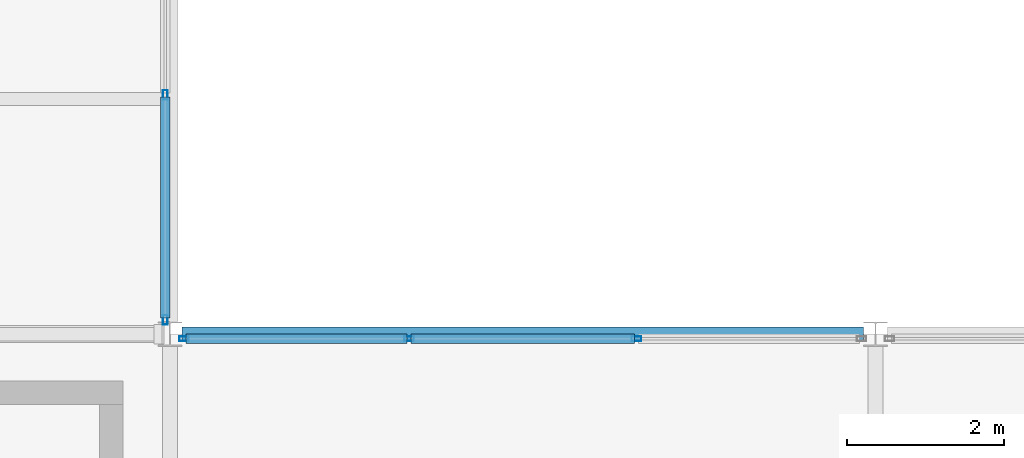
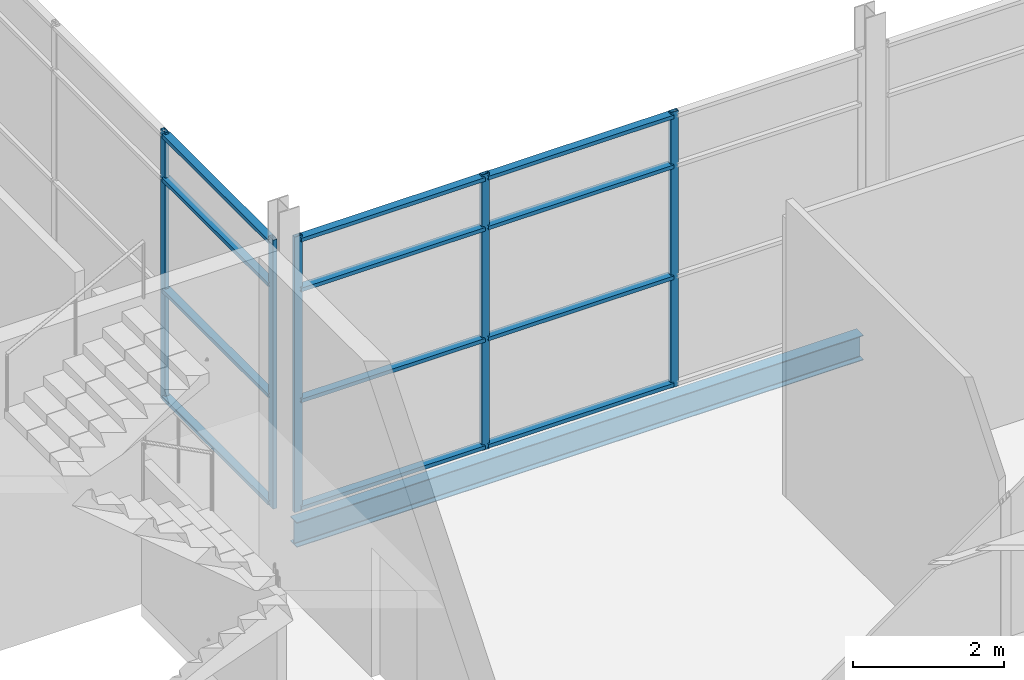
# One storey, part 10 of 61: 17 members, 1 beam, 2 elements without a shape of their own.
"""IFC4 building model written with IfcOpenShell, lengths in metres."""

from ifc_helpers import new_model, si_unit, direction, frame, origin, origin_2d, place, context, subcontext, project, spatial, hollow_rectangle, i_section, extrude, material, layer, layer_set, material_profile, profile_set, type_object, element, aggregate, save


model = new_model("IFC4")

# Units and contexts
model_context = context("Model", 3, precision=1e-05, world=origin(), true_north=direction((0.0, 1.0)))
body_context = subcontext(model_context, "Body", "Model", "MODEL_VIEW")
ifc_project = project(units=[si_unit("LENGTHUNIT", "METRE"), si_unit("AREAUNIT", "SQUARE_METRE"), si_unit("VOLUMEUNIT", "CUBIC_METRE"), si_unit("PLANEANGLEUNIT", "RADIAN"), si_unit("MASSUNIT", "GRAM", prefix="KILO")], contexts=[model_context])

# Site, building, storey
site_placement = place(None, origin())
site = spatial("IfcSite", under=ifc_project, at=site_placement, CompositionType="ELEMENT")
building_placement = place(site_placement, origin())
building = spatial("IfcBuilding", under=site, at=building_placement, Name="Shorebreak Coast Museum", CompositionType="ELEMENT")
storey_placement = place(building_placement, frame((0.0, 0.0, 26.0)))
storey = spatial("IfcBuildingStorey", under=building, at=storey_placement, Name="L04", CompositionType="ELEMENT", Elevation=26.0)

# Beam
ifc_material_1 = material(Name="Steel Grade 300", Category="steel")
ifc_material_profile_1 = material_profile(ifc_material_1, i_section(OverallWidth=0.177978515625, OverallDepth=0.402587890625, WebThickness=0.007568359375, FlangeThickness=0.010986328125, FilletRadius=0.011474609375, at=origin_2d()), Name="410UB53.7")
ifc_profile_set_1 = profile_set([ifc_material_profile_1], Name="Steel Grade 300")
beam_type = type_object("IfcBeamType", Name="Floor girder east-west 410UB53.7", PredefinedType="BEAM", material=ifc_profile_set_1)
beam_placement = place(storey_placement, frame((63.154541015625, 63.0, -0.376220703125), z_axis=(1.0, 0.0, 0.0), x_axis=(0.0, 1.0, 0.0)))
element("IfcBeam", 1, at=beam_placement, inside=storey, type_object=beam_type, Name="Floor girder east-west L04 8H", PredefinedType="BEAM", context=body_context, shape_type="SweptSolid", body=[
    extrude(i_section(OverallWidth=0.177978515625, OverallDepth=0.402587890625, WebThickness=0.007568359375, FlangeThickness=0.010986328125, FilletRadius=0.011474609375, at=origin_2d()), origin(), (0.0, 0.0, 1.0), 8.69091796875),
])

# Curtain wall, members
ifc_material_2 = material(Name="Aluminium", Category="aluminium")
ifc_layer = layer(ifc_material_2, 0.1201171875)
ifc_layer_set = layer_set([ifc_layer], Name="Aluminium")
curtain_wall_type = type_object("IfcCurtainWallType", Name="Atrium fire screen", PredefinedType="NOTDEFINED", material=ifc_layer_set)
curtain_wall_1_placement = place(storey_placement, origin())
curtain_wall_1 = element("IfcCurtainWall", 2, at=curtain_wall_1_placement, inside=storey, type_object=curtain_wall_type, Name="Atrium screen L04 S 49", PredefinedType="NOTDEFINED")
ifc_material_3 = material(Name="Aluminium", Category="aluminium")
ifc_material_profile_2 = material_profile(ifc_material_3, hollow_rectangle(XDim=0.06005859375, YDim=0.1201171875, WallThickness=0.00341796875, at=origin_2d()), Name="AL 120x60 RHS")
ifc_profile_set_2 = profile_set([ifc_material_profile_2], Name="Aluminium")
member_type_1 = type_object("IfcMemberType", Name="Screen mullion 50 x 120", PredefinedType="MULLION", material=ifc_profile_set_2)
member_1_placement = place(storey_placement, frame((63.178466796875, 62.93994140625, 0.0), z_axis=(0.0, 0.0, 1.0), x_axis=(0.0, 1.0, 0.0)))
member_1 = element("IfcMember", 3, at=member_1_placement, type_object=member_type_1, Name="CW5 mullion 1", PredefinedType="MULLION", context=body_context, shape_type="SweptSolid", body=[
    extrude(hollow_rectangle(XDim=0.06005859375, YDim=0.1201171875, WallThickness=0.00341796875, at=origin_2d()), origin(), (0.0, 0.0, 1.0), 4.469482421875),
])
member_2_placement = place(storey_placement, frame((66.05126953125, 62.93994140625, 0.0), z_axis=(0.0, 0.0, 1.0), x_axis=(0.0, 1.0, 0.0)))
member_2 = element("IfcMember", 4, at=member_2_placement, type_object=member_type_1, Name="CW5 mullion 2", PredefinedType="MULLION", context=body_context, shape_type="SweptSolid", body=[
    extrude(hollow_rectangle(XDim=0.06005859375, YDim=0.1201171875, WallThickness=0.00341796875, at=origin_2d()), origin(), (0.0, 0.0, 1.0), 4.469482421875),
])
member_3_placement = place(storey_placement, frame((68.94873046875, 62.93994140625, 0.0), z_axis=(0.0, 0.0, 1.0), x_axis=(0.0, 1.0, 0.0)))
member_3 = element("IfcMember", 5, at=member_3_placement, type_object=member_type_1, Name="CW5 mullion 3", PredefinedType="MULLION", context=body_context, shape_type="SweptSolid", body=[
    extrude(hollow_rectangle(XDim=0.06005859375, YDim=0.1201171875, WallThickness=0.00341796875, at=origin_2d()), origin(), (0.0, 0.0, 1.0), 4.469482421875),
])

curtain_wall_2_placement = place(storey_placement, origin())
curtain_wall_2 = element("IfcCurtainWall", 6, at=curtain_wall_2_placement, inside=storey, type_object=curtain_wall_type, Name="Atrium screen L04 W 59", PredefinedType="NOTDEFINED")
member_4_placement = place(storey_placement, frame((62.93994140625, 63.182373046875, 0.0), z_axis=(0.0, 0.0, 1.0), x_axis=(-1.0, 0.0, 0.0)))
member_4 = element("IfcMember", 7, at=member_4_placement, type_object=member_type_1, Name="CW6 mullion 1", PredefinedType="MULLION", context=body_context, shape_type="SweptSolid", body=[
    extrude(hollow_rectangle(XDim=0.06005859375, YDim=0.1201171875, WallThickness=0.00341796875, at=origin_2d()), origin(), (0.0, 0.0, 1.0), 4.364501953125),
])
member_5_placement = place(storey_placement, frame((62.93994140625, 66.052490234375, 0.0), z_axis=(0.0, 0.0, 1.0), x_axis=(-1.0, 0.0, 0.0)))
member_5 = element("IfcMember", 8, at=member_5_placement, type_object=member_type_1, Name="CW6 mullion 2", PredefinedType="MULLION", context=body_context, shape_type="SweptSolid", body=[
    extrude(hollow_rectangle(XDim=0.06005859375, YDim=0.1201171875, WallThickness=0.00341796875, at=origin_2d()), origin(), (0.0, 0.0, 1.0), 4.364501953125),
])

# Member
ifc_material_4 = material(Name="Aluminium", Category="aluminium")
ifc_material_profile_3 = material_profile(ifc_material_4, hollow_rectangle(XDim=0.1201171875, YDim=0.06005859375, WallThickness=0.00341796875, at=origin_2d()), Name="AL 60x120 RHS")
ifc_profile_set_3 = profile_set([ifc_material_profile_3], Name="Aluminium")
member_type_2 = type_object("IfcMemberType", Name="Screen transom 120 x 50", PredefinedType="USERDEFINED", material=ifc_profile_set_3)
member_6_placement = place(storey_placement, frame((63.20361328125, 62.93994140625, 0.06005859375), z_axis=(1.0, 0.0, 0.0), x_axis=(0.0, 1.0, 0.0)))
member_6 = element("IfcMember", 9, at=member_6_placement, type_object=member_type_2, Name="CW5 transom 1.1", ObjectType="TRANSOM", PredefinedType="USERDEFINED", context=body_context, shape_type="SweptSolid", body=[
    extrude(hollow_rectangle(XDim=0.1201171875, YDim=0.06005859375, WallThickness=0.00341796875, at=origin_2d()), origin(), (0.0, 0.0, 1.0), 2.822509765625),
])

member_7_placement = place(storey_placement, frame((63.20361328125, 62.93994140625, 1.800048828125), z_axis=(1.0, 0.0, 0.0), x_axis=(0.0, 1.0, 0.0)))
member_7 = element("IfcMember", 10, at=member_7_placement, type_object=member_type_2, Name="CW5 transom 1.2", ObjectType="TRANSOM", PredefinedType="USERDEFINED", context=body_context, shape_type="SweptSolid", body=[
    extrude(hollow_rectangle(XDim=0.1201171875, YDim=0.06005859375, WallThickness=0.00341796875, at=origin_2d()), origin(), (0.0, 0.0, 1.0), 2.822509765625),
])

member_8_placement = place(storey_placement, frame((63.20361328125, 62.93994140625, 3.60009765625), z_axis=(1.0, 0.0, 0.0), x_axis=(0.0, 1.0, 0.0)))
member_8 = element("IfcMember", 11, at=member_8_placement, type_object=member_type_2, Name="CW5 transom 1.3", ObjectType="TRANSOM", PredefinedType="USERDEFINED", context=body_context, shape_type="SweptSolid", body=[
    extrude(hollow_rectangle(XDim=0.1201171875, YDim=0.06005859375, WallThickness=0.00341796875, at=origin_2d()), origin(), (0.0, 0.0, 1.0), 2.822509765625),
])

member_9_placement = place(storey_placement, frame((63.20361328125, 62.93994140625, 4.409423828125), z_axis=(1.0, 0.0, 0.0), x_axis=(0.0, 1.0, 0.0)))
member_9 = element("IfcMember", 12, at=member_9_placement, type_object=member_type_2, Name="CW5 transom 1.4", ObjectType="TRANSOM", PredefinedType="USERDEFINED", context=body_context, shape_type="SweptSolid", body=[
    extrude(hollow_rectangle(XDim=0.1201171875, YDim=0.06005859375, WallThickness=0.00341796875, at=origin_2d()), origin(), (0.0, 0.0, 1.0), 2.822509765625),
])

member_10_placement = place(storey_placement, frame((66.076171875, 62.93994140625, 0.06005859375), z_axis=(1.0, 0.0, 0.0), x_axis=(0.0, 1.0, 0.0)))
member_10 = element("IfcMember", 13, at=member_10_placement, type_object=member_type_2, Name="CW5 transom 2.1", ObjectType="TRANSOM", PredefinedType="USERDEFINED", context=body_context, shape_type="SweptSolid", body=[
    extrude(hollow_rectangle(XDim=0.1201171875, YDim=0.06005859375, WallThickness=0.00341796875, at=origin_2d()), origin(), (0.0, 0.0, 1.0), 2.84765625),
])

member_11_placement = place(storey_placement, frame((66.076171875, 62.93994140625, 1.800048828125), z_axis=(1.0, 0.0, 0.0), x_axis=(0.0, 1.0, 0.0)))
member_11 = element("IfcMember", 14, at=member_11_placement, type_object=member_type_2, Name="CW5 transom 2.2", ObjectType="TRANSOM", PredefinedType="USERDEFINED", context=body_context, shape_type="SweptSolid", body=[
    extrude(hollow_rectangle(XDim=0.1201171875, YDim=0.06005859375, WallThickness=0.00341796875, at=origin_2d()), origin(), (0.0, 0.0, 1.0), 2.84765625),
])

member_12_placement = place(storey_placement, frame((66.076171875, 62.93994140625, 3.60009765625), z_axis=(1.0, 0.0, 0.0), x_axis=(0.0, 1.0, 0.0)))
member_12 = element("IfcMember", 15, at=member_12_placement, type_object=member_type_2, Name="CW5 transom 2.3", ObjectType="TRANSOM", PredefinedType="USERDEFINED", context=body_context, shape_type="SweptSolid", body=[
    extrude(hollow_rectangle(XDim=0.1201171875, YDim=0.06005859375, WallThickness=0.00341796875, at=origin_2d()), origin(), (0.0, 0.0, 1.0), 2.84765625),
])

member_13_placement = place(storey_placement, frame((66.076171875, 62.93994140625, 4.409423828125), z_axis=(1.0, 0.0, 0.0), x_axis=(0.0, 1.0, 0.0)))
member_13 = element("IfcMember", 16, at=member_13_placement, type_object=member_type_2, Name="CW5 transom 2.4", ObjectType="TRANSOM", PredefinedType="USERDEFINED", context=body_context, shape_type="SweptSolid", body=[
    extrude(hollow_rectangle(XDim=0.1201171875, YDim=0.06005859375, WallThickness=0.00341796875, at=origin_2d()), origin(), (0.0, 0.0, 1.0), 2.84765625),
])

aggregate(curtain_wall_1, [member_1, member_2, member_3, member_6, member_7, member_8, member_9, member_10, member_11, member_12, member_13])

member_14_placement = place(storey_placement, frame((62.93994140625, 63.207275390625, 0.06005859375), z_axis=(0.0, 1.0, 0.0), x_axis=(-1.0, 0.0, 0.0)))
member_14 = element("IfcMember", 17, at=member_14_placement, type_object=member_type_2, Name="CW6 transom 1.1", ObjectType="TRANSOM", PredefinedType="USERDEFINED", context=body_context, shape_type="SweptSolid", body=[
    extrude(hollow_rectangle(XDim=0.1201171875, YDim=0.06005859375, WallThickness=0.00341796875, at=origin_2d()), origin(), (0.0, 0.0, 1.0), 2.820068359375),
])

member_15_placement = place(storey_placement, frame((62.93994140625, 63.207275390625, 1.800048828125), z_axis=(0.0, 1.0, 0.0), x_axis=(-1.0, 0.0, 0.0)))
member_15 = element("IfcMember", 18, at=member_15_placement, type_object=member_type_2, Name="CW6 transom 1.2", ObjectType="TRANSOM", PredefinedType="USERDEFINED", context=body_context, shape_type="SweptSolid", body=[
    extrude(hollow_rectangle(XDim=0.1201171875, YDim=0.06005859375, WallThickness=0.00341796875, at=origin_2d()), origin(), (0.0, 0.0, 1.0), 2.820068359375),
])

member_16_placement = place(storey_placement, frame((62.93994140625, 63.207275390625, 3.60009765625), z_axis=(0.0, 1.0, 0.0), x_axis=(-1.0, 0.0, 0.0)))
member_16 = element("IfcMember", 19, at=member_16_placement, type_object=member_type_2, Name="CW6 transom 1.3", ObjectType="TRANSOM", PredefinedType="USERDEFINED", context=body_context, shape_type="SweptSolid", body=[
    extrude(hollow_rectangle(XDim=0.1201171875, YDim=0.06005859375, WallThickness=0.00341796875, at=origin_2d()), origin(), (0.0, 0.0, 1.0), 2.820068359375),
])

member_17_placement = place(storey_placement, frame((62.93994140625, 63.207275390625, 4.3046875), z_axis=(0.0, 1.0, 0.0), x_axis=(-1.0, 0.0, 0.0)))
member_17 = element("IfcMember", 20, at=member_17_placement, type_object=member_type_2, Name="CW6 transom 1.4", ObjectType="TRANSOM", PredefinedType="USERDEFINED", context=body_context, shape_type="SweptSolid", body=[
    extrude(hollow_rectangle(XDim=0.1201171875, YDim=0.06005859375, WallThickness=0.00341796875, at=origin_2d()), origin(), (0.0, 0.0, 1.0), 2.820068359375),
])

aggregate(curtain_wall_2, [member_4, member_5, member_14, member_15, member_16, member_17])

save(model, "model.ifc")
